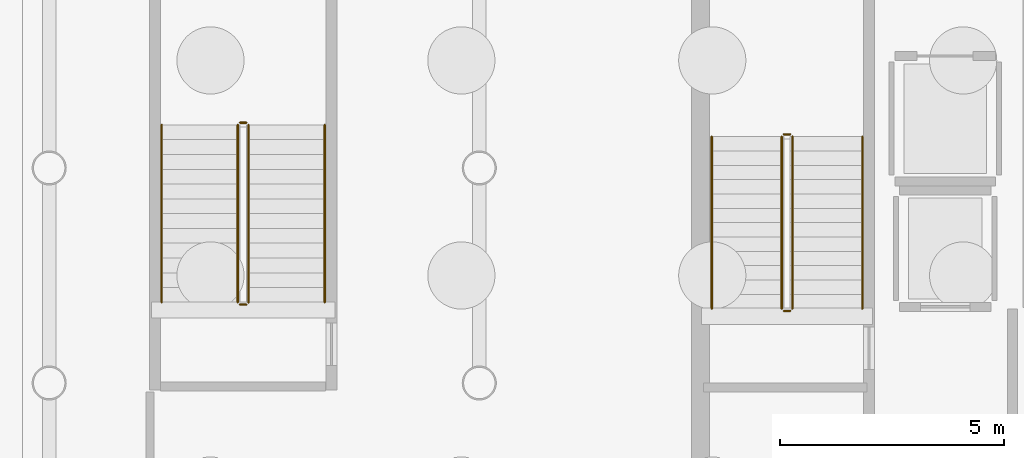
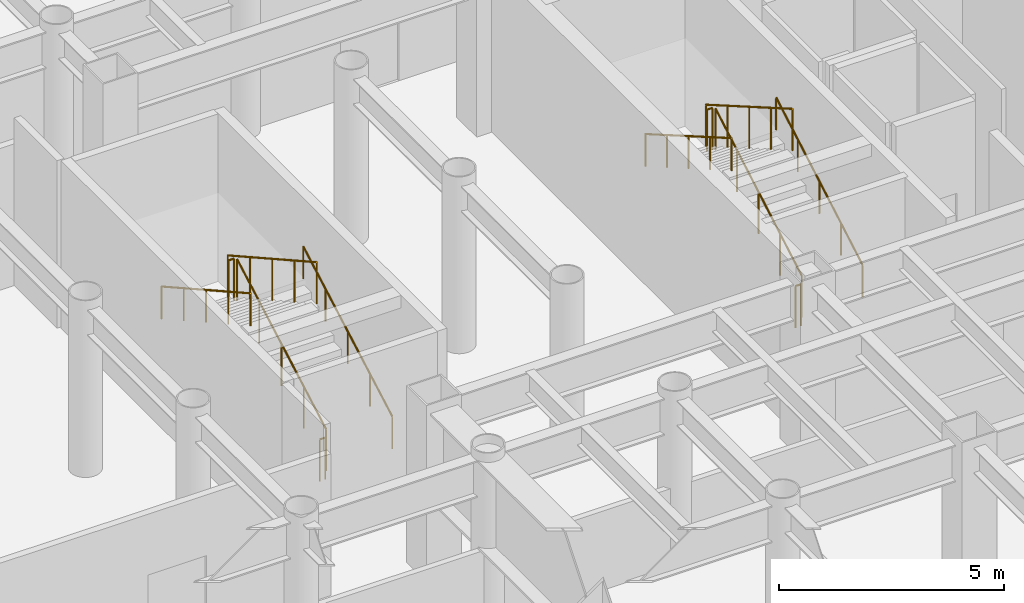
# One storey, part 13 of 17: 12 railings.
"""IFC4 building model written with IfcOpenShell, lengths in metres."""

from ifc_helpers import new_model, si_unit, direction, frame, origin, origin_2d, place, context, subcontext, project, spatial, circle, extrude, material, layer, layer_set, type_object, element, save


model = new_model("IFC4")

# Units and contexts
model_context = context("Model", 3, precision=1e-05, world=origin(), true_north=direction((0.0, 1.0)))
body_context = subcontext(model_context, "Body", "Model", "MODEL_VIEW")
ifc_project = project(units=[si_unit("LENGTHUNIT", "METRE"), si_unit("AREAUNIT", "SQUARE_METRE"), si_unit("VOLUMEUNIT", "CUBIC_METRE"), si_unit("PLANEANGLEUNIT", "RADIAN"), si_unit("MASSUNIT", "GRAM", prefix="KILO")], contexts=[model_context])

# Site, building, storey
site_placement = place(None, origin())
site = spatial("IfcSite", under=ifc_project, at=site_placement, CompositionType="ELEMENT")
building_placement = place(site_placement, origin())
building = spatial("IfcBuilding", under=site, at=building_placement, Name="Kallvorn Hotel Tower", CompositionType="ELEMENT")
storey_placement = place(building_placement, frame((0.0, 0.0, -10.199951171875)))
storey = spatial("IfcBuildingStorey", under=building, at=storey_placement, Name="B2", CompositionType="ELEMENT", Elevation=-10.199951171875)

# Railings
ifc_material_1 = material(Name="Brushed stainless-steel tubular railing", Category="steel")
ifc_layer_1 = layer(ifc_material_1, 0.050048828125)
ifc_layer_set_1 = layer_set([ifc_layer_1], Name="RL_STAIR_GUARD")
railing_type_1 = type_object("IfcRailingType", Name="RL_STAIR_GUARD", PredefinedType="GUARDRAIL", material=ifc_layer_set_1)
railing_1_placement = place(storey_placement, frame((-12.2099609375, -3.139892578125, 0.1845703125)))
element("IfcRailing", 1, at=railing_1_placement, inside=storey, type_object=railing_type_1, Name="B2 ST1 stair guard 1", PredefinedType="GUARDRAIL", context=body_context, shape_type="SweptSolid", body=[
    extrude(circle(Radius=0.02392578125, at=origin_2d()), frame((0.0, 0.0, 1.1259765625), z_axis=(0.0, 0.866181918593, 0.499728810358), x_axis=(-1.0, 0.0, 0.0)), (0.0, 0.0, 1.0), 4.43310546875),
    extrude(circle(Radius=0.02099609375, at=origin_2d()), origin(), (0.0, 0.0, 1.0), 1.101806640625),
    extrude(circle(Radius=0.02099609375, at=origin_2d()), frame((0.0, 0.9599609375, 0.5537109375)), (0.0, 0.0, 1.0), 1.101806640625),
    extrude(circle(Radius=0.02099609375, at=origin_2d()), frame((0.0, 1.919921875, 1.107666015625)), (0.0, 0.0, 1.0), 1.101806640625),
    extrude(circle(Radius=0.02099609375, at=origin_2d()), frame((0.0, 2.8798828125, 1.66162109375)), (0.0, 0.0, 1.0), 1.101806640625),
    extrude(circle(Radius=0.02099609375, at=origin_2d()), frame((0.0, 3.83984375, 2.21533203125)), (0.0, 0.0, 1.0), 1.101806640625),
])
railing_2_placement = place(storey_placement, frame((-12.260009765625, 0.75, 2.39990234375)))
element("IfcRailing", 2, at=railing_2_placement, inside=storey, type_object=railing_type_1, Name="B2 ST1 stair guard 2", PredefinedType="GUARDRAIL", context=body_context, shape_type="SweptSolid", body=[
    extrude(circle(Radius=0.02392578125, at=origin_2d()), frame((0.0, 0.0, 1.1259765625), z_axis=(-1.0, 0.0, 0.0), x_axis=(0.0, -1.0, 0.0)), (0.0, 0.0, 1.0), 0.139892578125),
    extrude(circle(Radius=0.02099609375, at=origin_2d()), origin(), (0.0, 0.0, 1.0), 1.101806640625),
    extrude(circle(Radius=0.02099609375, at=origin_2d()), frame((-0.139892578125, 0.0, 0.0)), (0.0, 0.0, 1.0), 1.101806640625),
])
railing_3_placement = place(storey_placement, frame((-12.449951171875, 0.699951171875, 2.58447265625)))
element("IfcRailing", 3, at=railing_3_placement, inside=storey, type_object=railing_type_1, Name="B2 ST1 stair guard 3", PredefinedType="GUARDRAIL", context=body_context, shape_type="SweptSolid", body=[
    extrude(circle(Radius=0.02392578125, at=origin_2d()), frame((0.0, 0.0, 1.1259765625), z_axis=(0.0, -0.866158079753, 0.499770128037), x_axis=(1.0, 0.0, 0.0)), (0.0, 0.0, 1.0), 4.43310546875),
    extrude(circle(Radius=0.02099609375, at=origin_2d()), origin(), (0.0, 0.0, 1.0), 1.101806640625),
    extrude(circle(Radius=0.02099609375, at=origin_2d()), frame((0.0, -0.9599609375, 0.553955078125)), (0.0, 0.0, 1.0), 1.101806640625),
    extrude(circle(Radius=0.02099609375, at=origin_2d()), frame((0.0, -1.919921875, 1.10791015625)), (0.0, 0.0, 1.0), 1.101806640625),
    extrude(circle(Radius=0.02099609375, at=origin_2d()), frame((0.0, -2.8798828125, 1.66162109375)), (0.0, 0.0, 1.0), 1.101806640625),
    extrude(circle(Radius=0.02099609375, at=origin_2d()), frame((0.0, -3.83984375, 2.215576171875)), (0.0, 0.0, 1.0), 1.101806640625),
])
railing_4_placement = place(storey_placement, frame((-12.260009765625, -3.18994140625, 0.0)))
element("IfcRailing", 4, at=railing_4_placement, inside=storey, type_object=railing_type_1, Name="B2 ST1 stair guard 4", PredefinedType="GUARDRAIL", context=body_context, shape_type="SweptSolid", body=[
    extrude(circle(Radius=0.02392578125, at=origin_2d()), frame((0.0, 0.0, 1.1259765625), z_axis=(-1.0, 0.0, 0.0), x_axis=(0.0, -1.0, 0.0)), (0.0, 0.0, 1.0), 0.139892578125),
    extrude(circle(Radius=0.02099609375, at=origin_2d()), origin(), (0.0, 0.0, 1.0), 1.101806640625),
    extrude(circle(Radius=0.02099609375, at=origin_2d()), frame((-0.139892578125, 0.0, 0.0)), (0.0, 0.0, 1.0), 1.101806640625),
])
railing_5_placement = place(storey_placement, frame((-24.35009765625, -3.0, 0.1845703125)))
element("IfcRailing", 5, at=railing_5_placement, inside=storey, type_object=railing_type_1, Name="B2 ST4 stair guard 1", PredefinedType="GUARDRAIL", context=body_context, shape_type="SweptSolid", body=[
    extrude(circle(Radius=0.02392578125, at=origin_2d()), frame((0.0, 0.0, 1.1259765625), z_axis=(0.0, 0.87271696024, 0.488226491814), x_axis=(-1.0, 0.0, 0.0)), (0.0, 0.0, 1.0), 4.53759765625),
    extrude(circle(Radius=0.02099609375, at=origin_2d()), origin(), (0.0, 0.0, 1.0), 1.101806640625),
    extrude(circle(Radius=0.02099609375, at=origin_2d()), frame((0.0, 0.989990234375, 0.5537109375)), (0.0, 0.0, 1.0), 1.101806640625),
    extrude(circle(Radius=0.02099609375, at=origin_2d()), frame((0.0, 1.97998046875, 1.107666015625)), (0.0, 0.0, 1.0), 1.101806640625),
    extrude(circle(Radius=0.02099609375, at=origin_2d()), frame((0.0, 2.969970703125, 1.66162109375)), (0.0, 0.0, 1.0), 1.101806640625),
    extrude(circle(Radius=0.02099609375, at=origin_2d()), frame((0.0, 3.9599609375, 2.21533203125)), (0.0, 0.0, 1.0), 1.101806640625),
])
railing_6_placement = place(storey_placement, frame((-24.39990234375, 1.010009765625, 2.39990234375)))
element("IfcRailing", 6, at=railing_6_placement, inside=storey, type_object=railing_type_1, Name="B2 ST4 stair guard 2", PredefinedType="GUARDRAIL", context=body_context, shape_type="SweptSolid", body=[
    extrude(circle(Radius=0.02392578125, at=origin_2d()), frame((0.0, 0.0, 1.1259765625), z_axis=(-1.0, 0.0, 0.0), x_axis=(0.0, -1.0, 0.0)), (0.0, 0.0, 1.0), 0.14013671875),
    extrude(circle(Radius=0.02099609375, at=origin_2d()), origin(), (0.0, 0.0, 1.0), 1.101806640625),
    extrude(circle(Radius=0.02099609375, at=origin_2d()), frame((-0.14013671875, 0.0, 0.0)), (0.0, 0.0, 1.0), 1.101806640625),
])
railing_7_placement = place(storey_placement, frame((-24.590087890625, 0.9599609375, 2.58447265625)))
element("IfcRailing", 7, at=railing_7_placement, inside=storey, type_object=railing_type_1, Name="B2 ST4 stair guard 3", PredefinedType="GUARDRAIL", context=body_context, shape_type="SweptSolid", body=[
    extrude(circle(Radius=0.02392578125, at=origin_2d()), frame((0.0, 0.0, 1.1259765625), z_axis=(0.0, -0.872694034459, 0.488267469958), x_axis=(1.0, 0.0, 0.0)), (0.0, 0.0, 1.0), 4.53759765625),
    extrude(circle(Radius=0.02099609375, at=origin_2d()), origin(), (0.0, 0.0, 1.0), 1.101806640625),
    extrude(circle(Radius=0.02099609375, at=origin_2d()), frame((0.0, -0.989990234375, 0.553955078125)), (0.0, 0.0, 1.0), 1.101806640625),
    extrude(circle(Radius=0.02099609375, at=origin_2d()), frame((0.0, -1.97998046875, 1.10791015625)), (0.0, 0.0, 1.0), 1.101806640625),
    extrude(circle(Radius=0.02099609375, at=origin_2d()), frame((0.0, -2.969970703125, 1.66162109375)), (0.0, 0.0, 1.0), 1.101806640625),
    extrude(circle(Radius=0.02099609375, at=origin_2d()), frame((0.0, -3.9599609375, 2.215576171875)), (0.0, 0.0, 1.0), 1.101806640625),
])
railing_8_placement = place(storey_placement, frame((-24.39990234375, -3.050048828125, 0.0)))
element("IfcRailing", 8, at=railing_8_placement, inside=storey, type_object=railing_type_1, Name="B2 ST4 stair guard 4", PredefinedType="GUARDRAIL", context=body_context, shape_type="SweptSolid", body=[
    extrude(circle(Radius=0.02392578125, at=origin_2d()), frame((0.0, 0.0, 1.1259765625), z_axis=(-1.0, 0.0, 0.0), x_axis=(0.0, -1.0, 0.0)), (0.0, 0.0, 1.0), 0.14013671875),
    extrude(circle(Radius=0.02099609375, at=origin_2d()), origin(), (0.0, 0.0, 1.0), 1.101806640625),
    extrude(circle(Radius=0.02099609375, at=origin_2d()), frame((-0.14013671875, 0.0, 0.0)), (0.0, 0.0, 1.0), 1.101806640625),
])
ifc_material_2 = material(Name="Brushed stainless-steel tubular railing", Category="steel")
ifc_layer_2 = layer(ifc_material_2, 0.050048828125)
ifc_layer_set_2 = layer_set([ifc_layer_2], Name="RL_STAIR_HAND")
railing_type_2 = type_object("IfcRailingType", Name="RL_STAIR_HAND", PredefinedType="HANDRAIL", material=ifc_layer_set_2)
railing_9_placement = place(storey_placement, frame((-10.64990234375, -3.139892578125, 0.1845703125)))
element("IfcRailing", 9, at=railing_9_placement, inside=storey, type_object=railing_type_2, Name="B2 ST1 stair handrail 1", PredefinedType="HANDRAIL", context=body_context, shape_type="SweptSolid", body=[
    extrude(circle(Radius=0.02392578125, at=origin_2d()), frame((0.0, 0.0, 0.8759765625), z_axis=(0.0, 0.866181918593, 0.499728810358), x_axis=(-1.0, 0.0, 0.0)), (0.0, 0.0, 1.0), 4.43310546875),
    extrude(circle(Radius=0.02099609375, at=origin_2d()), origin(), (0.0, 0.0, 1.0), 0.851806640625),
    extrude(circle(Radius=0.02099609375, at=origin_2d()), frame((0.0, 0.9599609375, 0.5537109375)), (0.0, 0.0, 1.0), 0.851806640625),
    extrude(circle(Radius=0.02099609375, at=origin_2d()), frame((0.0, 1.919921875, 1.107666015625)), (0.0, 0.0, 1.0), 0.851806640625),
    extrude(circle(Radius=0.02099609375, at=origin_2d()), frame((0.0, 2.8798828125, 1.66162109375)), (0.0, 0.0, 1.0), 0.851806640625),
    extrude(circle(Radius=0.02099609375, at=origin_2d()), frame((0.0, 3.83984375, 2.21533203125)), (0.0, 0.0, 1.0), 0.851806640625),
])
railing_10_placement = place(storey_placement, frame((-14.010009765625, 0.699951171875, 2.58447265625)))
element("IfcRailing", 10, at=railing_10_placement, inside=storey, type_object=railing_type_2, Name="B2 ST1 stair handrail 2", PredefinedType="HANDRAIL", context=body_context, shape_type="SweptSolid", body=[
    extrude(circle(Radius=0.02392578125, at=origin_2d()), frame((0.0, 0.0, 0.8759765625), z_axis=(0.0, -0.866158079753, 0.499770128037), x_axis=(1.0, 0.0, 0.0)), (0.0, 0.0, 1.0), 4.43310546875),
    extrude(circle(Radius=0.02099609375, at=origin_2d()), origin(), (0.0, 0.0, 1.0), 0.851806640625),
    extrude(circle(Radius=0.02099609375, at=origin_2d()), frame((0.0, -0.9599609375, 0.553955078125)), (0.0, 0.0, 1.0), 0.851806640625),
    extrude(circle(Radius=0.02099609375, at=origin_2d()), frame((0.0, -1.919921875, 1.10791015625)), (0.0, 0.0, 1.0), 0.851806640625),
    extrude(circle(Radius=0.02099609375, at=origin_2d()), frame((0.0, -2.8798828125, 1.66162109375)), (0.0, 0.0, 1.0), 0.851806640625),
    extrude(circle(Radius=0.02099609375, at=origin_2d()), frame((0.0, -3.83984375, 2.215576171875)), (0.0, 0.0, 1.0), 0.851806640625),
])
railing_11_placement = place(storey_placement, frame((-22.64990234375, -3.0, 0.1845703125)))
element("IfcRailing", 11, at=railing_11_placement, inside=storey, type_object=railing_type_2, Name="B2 ST4 stair handrail 1", PredefinedType="HANDRAIL", context=body_context, shape_type="SweptSolid", body=[
    extrude(circle(Radius=0.02392578125, at=origin_2d()), frame((0.0, 0.0, 0.8759765625), z_axis=(0.0, 0.87271696024, 0.488226491814), x_axis=(-1.0, 0.0, 0.0)), (0.0, 0.0, 1.0), 4.53759765625),
    extrude(circle(Radius=0.02099609375, at=origin_2d()), origin(), (0.0, 0.0, 1.0), 0.851806640625),
    extrude(circle(Radius=0.02099609375, at=origin_2d()), frame((0.0, 0.989990234375, 0.5537109375)), (0.0, 0.0, 1.0), 0.851806640625),
    extrude(circle(Radius=0.02099609375, at=origin_2d()), frame((0.0, 1.97998046875, 1.107666015625)), (0.0, 0.0, 1.0), 0.851806640625),
    extrude(circle(Radius=0.02099609375, at=origin_2d()), frame((0.0, 2.969970703125, 1.66162109375)), (0.0, 0.0, 1.0), 0.851806640625),
    extrude(circle(Radius=0.02099609375, at=origin_2d()), frame((0.0, 3.9599609375, 2.21533203125)), (0.0, 0.0, 1.0), 0.851806640625),
])
railing_12_placement = place(storey_placement, frame((-26.2900390625, 0.9599609375, 2.58447265625)))
element("IfcRailing", 12, at=railing_12_placement, inside=storey, type_object=railing_type_2, Name="B2 ST4 stair handrail 2", PredefinedType="HANDRAIL", context=body_context, shape_type="SweptSolid", body=[
    extrude(circle(Radius=0.02392578125, at=origin_2d()), frame((0.0, 0.0, 0.8759765625), z_axis=(0.0, -0.872694034459, 0.488267469958), x_axis=(1.0, 0.0, 0.0)), (0.0, 0.0, 1.0), 4.53759765625),
    extrude(circle(Radius=0.02099609375, at=origin_2d()), origin(), (0.0, 0.0, 1.0), 0.851806640625),
    extrude(circle(Radius=0.02099609375, at=origin_2d()), frame((0.0, -0.989990234375, 0.553955078125)), (0.0, 0.0, 1.0), 0.851806640625),
    extrude(circle(Radius=0.02099609375, at=origin_2d()), frame((0.0, -1.97998046875, 1.10791015625)), (0.0, 0.0, 1.0), 0.851806640625),
    extrude(circle(Radius=0.02099609375, at=origin_2d()), frame((0.0, -2.969970703125, 1.66162109375)), (0.0, 0.0, 1.0), 0.851806640625),
    extrude(circle(Radius=0.02099609375, at=origin_2d()), frame((0.0, -3.9599609375, 2.215576171875)), (0.0, 0.0, 1.0), 0.851806640625),
])

save(model, "model.ifc")
